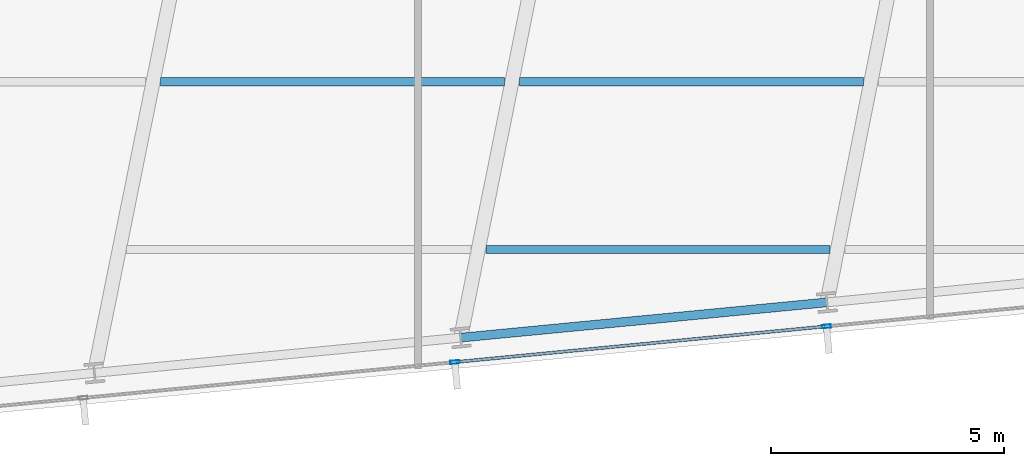
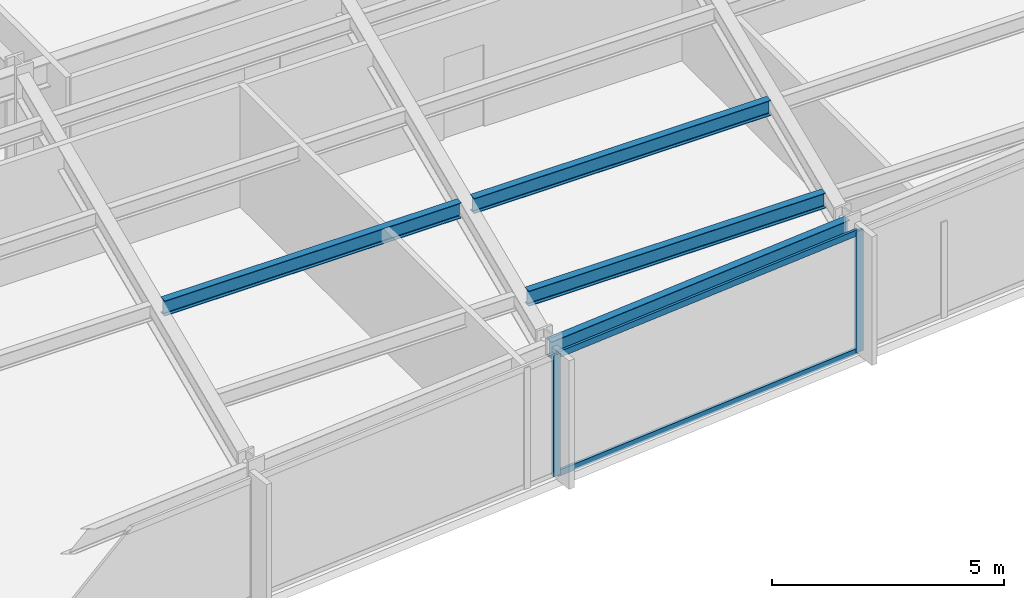
# One storey, part 4 of 32: 4 beams, 4 members, 1 element without a shape of its own.
"""IFC4 building model written with IfcOpenShell, lengths in metres."""

from ifc_helpers import new_model, si_unit, direction, frame, origin, origin_2d, place, context, subcontext, project, spatial, hollow_rectangle, i_section, extrude, material, material_profile, profile_set, type_object, element, aggregate, save


model = new_model("IFC4")

# Units and contexts
model_context = context("Model", 3, precision=1e-05, world=origin(), true_north=direction((0.0, 1.0)))
body_context = subcontext(model_context, "Body", "Model", "MODEL_VIEW")
ifc_project = project(units=[si_unit("LENGTHUNIT", "METRE"), si_unit("AREAUNIT", "SQUARE_METRE"), si_unit("VOLUMEUNIT", "CUBIC_METRE"), si_unit("PLANEANGLEUNIT", "RADIAN"), si_unit("MASSUNIT", "GRAM", prefix="KILO")], contexts=[model_context])

# Site, building, storey
site_placement = place(None, origin())
site = spatial("IfcSite", under=ifc_project, at=site_placement, CompositionType="ELEMENT")
building_placement = place(site_placement, origin())
building = spatial("IfcBuilding", under=site, at=building_placement, Name="Yelkora Congress Tower", CompositionType="ELEMENT")
storey_placement = place(building_placement, frame((0.0, 0.0, 103.300048828125)))
storey = spatial("IfcBuildingStorey", under=building, at=storey_placement, Name="L27", CompositionType="ELEMENT", Elevation=103.300048828125)

# Beams
ifc_material_1 = material(Name="Steel S355J2", Category="steel")
ifc_material_profile_1 = material_profile(ifc_material_1, i_section(OverallWidth=0.179931640625, OverallDepth=0.39990234375, WebThickness=0.008544921875, FlangeThickness=0.013427734375, FilletRadius=0.02099609375, at=origin_2d()), Name="IPE 400")
ifc_profile_set_1 = profile_set([ifc_material_profile_1], Name="Steel S355J2")
beam_type_1 = type_object("IfcBeamType", Name="BM-JOIST-IPE400", PredefinedType="JOIST", material=ifc_profile_set_1)
beam_1_placement = place(storey_placement, frame((36.023193359375, 12.54443359375, 2.97998046875), z_axis=(1.0, 0.0, 0.0), x_axis=(0.0, 1.0, 0.0)))
element("IfcBeam", 1, at=beam_1_placement, inside=storey, type_object=beam_type_1, Name="L27 Composite Floor Joist 2", PredefinedType="JOIST", context=body_context, shape_type="SweptSolid", body=[
    extrude(i_section(OverallWidth=0.179931640625, OverallDepth=0.39990234375, WebThickness=0.008544921875, FlangeThickness=0.013427734375, FilletRadius=0.02099609375, at=origin_2d()), origin(), (0.0, 0.0, 1.0), 7.37646484375),
])
beam_2_placement = place(storey_placement, frame((29.05419921875, 16.144287109375, 2.97998046875), z_axis=(1.0, 0.0, 0.0), x_axis=(0.0, 1.0, 0.0)))
element("IfcBeam", 2, at=beam_2_placement, inside=storey, type_object=beam_type_1, Name="L27 Composite Floor Joist 5", PredefinedType="JOIST", context=body_context, shape_type="SweptSolid", body=[
    extrude(i_section(OverallWidth=0.179931640625, OverallDepth=0.39990234375, WebThickness=0.008544921875, FlangeThickness=0.013427734375, FilletRadius=0.02099609375, at=origin_2d()), origin(), (0.0, 0.0, 1.0), 7.37060546875),
])
beam_3_placement = place(storey_placement, frame((36.744873046875, 16.144287109375, 2.97998046875), z_axis=(1.0, 0.0, 0.0), x_axis=(0.0, 1.0, 0.0)))
element("IfcBeam", 3, at=beam_3_placement, inside=storey, type_object=beam_type_1, Name="L27 Composite Floor Joist 6", PredefinedType="JOIST", context=body_context, shape_type="SweptSolid", body=[
    extrude(i_section(OverallWidth=0.179931640625, OverallDepth=0.39990234375, WebThickness=0.008544921875, FlangeThickness=0.013427734375, FilletRadius=0.02099609375, at=origin_2d()), origin(), (0.0, 0.0, 1.0), 7.371826171875),
])
ifc_material_profile_2 = material_profile(ifc_material_1, i_section(OverallWidth=0.18994140625, OverallDepth=0.449951171875, WebThickness=0.009521484375, FlangeThickness=0.0146484375, FilletRadius=0.02099609375, at=origin_2d()), Name="IPE 450")
ifc_profile_set_2 = profile_set([ifc_material_profile_2], Name="Steel S355J2")
beam_type_2 = type_object("IfcBeamType", Name="BM-SPAN-IPE450", PredefinedType="SPANDREL", material=ifc_profile_set_2)
beam_4_placement = place(storey_placement, frame((35.48486328125, 10.656005859375, 2.954833984375), z_axis=(0.995395575667, 0.095852219286, 0.0), x_axis=(-0.095852219286, 0.995395575667, 0.0)))
element("IfcBeam", 4, at=beam_4_placement, inside=storey, type_object=beam_type_2, Name="L27 Perimeter Beam 5", PredefinedType="SPANDREL", context=body_context, shape_type="SweptSolid", body=[
    extrude(i_section(OverallWidth=0.18994140625, OverallDepth=0.449951171875, WebThickness=0.009521484375, FlangeThickness=0.0146484375, FilletRadius=0.02099609375, at=origin_2d()), origin(), (0.0, 0.0, 1.0), 7.8857421875),
])

# Curtain wall, members
ifc_material_2 = material(Name="Anodised aluminium and insulated glass", Category="aluminium")
curtain_wall_type = type_object("IfcCurtainWallType", Name="CW-SYS-B2", PredefinedType="NOTDEFINED", material=ifc_material_2)
curtain_wall_placement = place(storey_placement, origin())
curtain_wall = element("IfcCurtainWall", 5, at=curtain_wall_placement, inside=storey, type_object=curtain_wall_type, Name="L27 Unitised Curtain Wall 20", PredefinedType="NOTDEFINED")
ifc_material_3 = material(Name="Anodised aluminium 6063-T6", Category="aluminium")
ifc_material_profile_3 = material_profile(ifc_material_3, hollow_rectangle(XDim=0.070068359375, YDim=0.18994140625, WallThickness=0.00390625, at=origin_2d()), Name="ALU 70x190x4")
ifc_profile_set_3 = profile_set([ifc_material_profile_3], Name="Anodised aluminium 6063-T6")
member_type_1 = type_object("IfcMemberType", Name="MEM-ML-B2", PredefinedType="MULLION", material=ifc_profile_set_3)
member_1_placement = place(storey_placement, frame((43.32470703125, 10.898681640625, 0.0), z_axis=(0.0, 0.0, 1.0), x_axis=(0.095844345816, -0.995396333816, 0.0)))
member_1 = element("IfcMember", 6, at=member_1_placement, type_object=member_type_1, Name="CW-B2 mullion 5", PredefinedType="MULLION", context=body_context, shape_type="SweptSolid", body=[
    extrude(hollow_rectangle(XDim=0.070068359375, YDim=0.18994140625, WallThickness=0.00390625, at=origin_2d()), origin(), (0.0, 0.0, 1.0), 3.179931640625),
])
member_2_placement = place(storey_placement, frame((35.358642578125, 10.131591796875, 0.0), z_axis=(0.0, 0.0, 1.0), x_axis=(0.095844345816, -0.995396333816, 0.0)))
member_2 = element("IfcMember", 7, at=member_2_placement, type_object=member_type_1, Name="CW-B2 mullion 6", PredefinedType="MULLION", context=body_context, shape_type="SweptSolid", body=[
    extrude(hollow_rectangle(XDim=0.070068359375, YDim=0.18994140625, WallThickness=0.00390625, at=origin_2d()), origin(), (0.0, 0.0, 1.0), 3.179931640625),
])
ifc_material_profile_4 = material_profile(ifc_material_3, hollow_rectangle(XDim=0.06494140625, YDim=0.159912109375, WallThickness=0.00390625, at=origin_2d()), Name="ALU 65x160x4")
ifc_profile_set_4 = profile_set([ifc_material_profile_4], Name="Anodised aluminium 6063-T6")
member_type_2 = type_object("IfcMemberType", Name="MEM-TR-B2", PredefinedType="USERDEFINED", material=ifc_profile_set_4)
member_3_placement = place(storey_placement, frame((43.289794921875, 10.895263671875, 0.032470703125), z_axis=(-0.995397010735, -0.095837315383, 0.0), x_axis=(0.095837315383, -0.995397010735, 0.0)))
member_3 = element("IfcMember", 8, at=member_3_placement, type_object=member_type_2, Name="CW-B2 transom 5.1", ObjectType="TRANSOM", PredefinedType="USERDEFINED", context=body_context, shape_type="SweptSolid", body=[
    extrude(hollow_rectangle(XDim=0.06494140625, YDim=0.159912109375, WallThickness=0.00390625, at=origin_2d()), origin(), (0.0, 0.0, 1.0), 7.932861328125),
])
member_4_placement = place(storey_placement, frame((43.289794921875, 10.895263671875, 3.1474609375), z_axis=(-0.995397010735, -0.095837315383, 0.0), x_axis=(0.095837315383, -0.995397010735, 0.0)))
member_4 = element("IfcMember", 9, at=member_4_placement, type_object=member_type_2, Name="CW-B2 transom 5.2", ObjectType="TRANSOM", PredefinedType="USERDEFINED", context=body_context, shape_type="SweptSolid", body=[
    extrude(hollow_rectangle(XDim=0.06494140625, YDim=0.159912109375, WallThickness=0.00390625, at=origin_2d()), origin(), (0.0, 0.0, 1.0), 7.932861328125),
])
aggregate(curtain_wall, [member_1, member_2, member_3, member_4])

save(model, "model.ifc")
